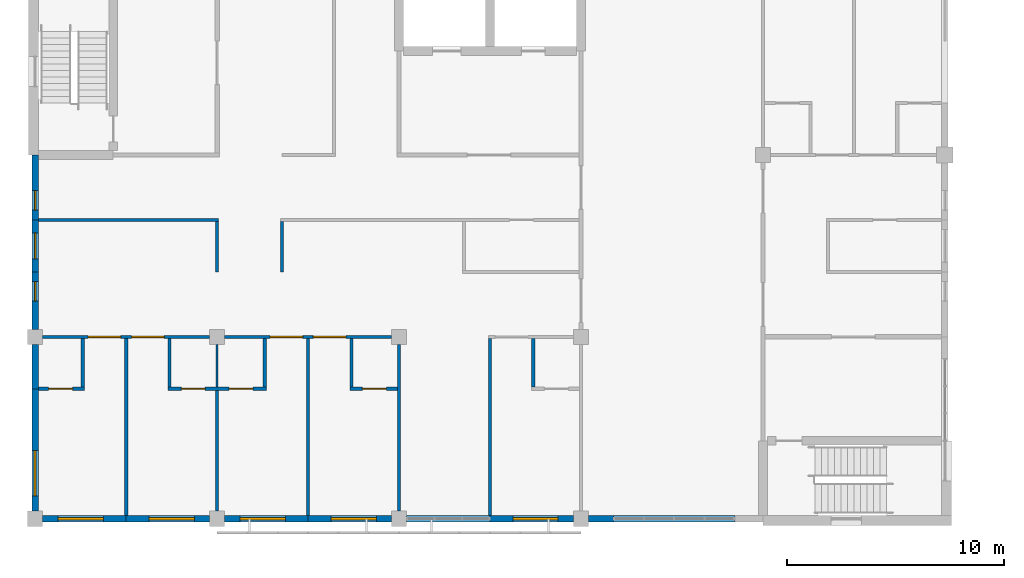
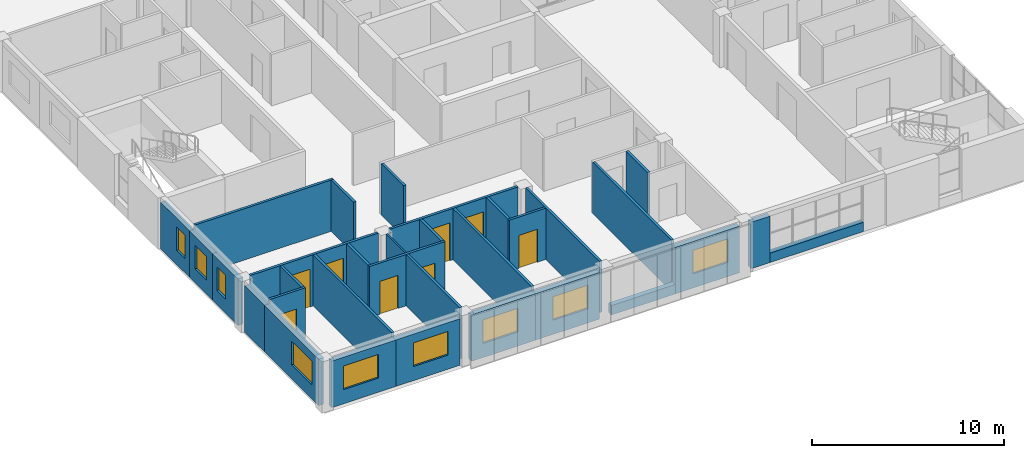
# One storey, part 23 of 45: 32 walls, 9 windows, 8 doors, 17 openings.
"""IFC4 building model written with IfcOpenShell, lengths in metres."""

import ifcopenshell
import ifcopenshell.guid

model = None  # the IFC model being written
_history = None  # IfcOwnerHistory: only IFC2X3 demands one
_inside = {}  # id of a spatial element -> (the spatial element, [elements in it])
_under = {}  # id of a project, library or spatial element -> (it, [spatial elements below it])
_declared = {}  # id of a project -> (the project, [libraries it declares])
_typed = {}  # id of a type object -> (the type object, [elements of that type])
_made_of = {}  # id of a material, layer set ... -> (it, [elements and type objects made of it])


def new_model(schema):
    """Start an empty IFC model of exactly this schema.

    Asked for "IFC4X3", IfcOpenShell would pick the latest addendum, in which some entities
    have other attributes; the version numbers below select the first issue.
    IFC2X3 requires an IfcOwnerHistory on every rooted entity: one is made here for all.
    """
    global model, _history
    if schema == "IFC4X3":
        model = ifcopenshell.file(schema_version=(4, 3, 0, 0))
    else:
        model = ifcopenshell.file(schema=schema)
    _inside.clear()
    _under.clear()
    _declared.clear()
    _typed.clear()
    _made_of.clear()
    _history = None
    if model.schema == "IFC2X3":
        org = make("IfcOrganization", Name="unknown")
        user = make(
            "IfcPersonAndOrganization",
            ThePerson=make("IfcPerson", FamilyName="unknown"),
            TheOrganization=org,
        )
        app = make(
            "IfcApplication",
            ApplicationDeveloper=org,
            Version="unknown",
            ApplicationFullName="unknown",
            ApplicationIdentifier="unknown",
        )
        _history = make(
            "IfcOwnerHistory",
            OwningUser=user,
            OwningApplication=app,
            ChangeAction="ADDED",
            CreationDate=0,
        )
    return model


def make(cls, **values):
    """One entity of the class cls with the attributes given. An attribute that is None is left unset."""
    return model.create_entity(
        cls, **{name: value for name, value in values.items() if value is not None}
    )


def rooted(cls, **values):
    """An entity with a GlobalId (a new one), such as an element, a storey or a relation."""
    return make(cls, GlobalId=ifcopenshell.guid.new(), OwnerHistory=_history, **values)


def si_unit(unit_type, name, prefix=None):
    """IfcSIUnit, for example si_unit("LENGTHUNIT", "METRE", prefix="MILLI")."""
    return make("IfcSIUnit", UnitType=unit_type, Prefix=prefix, Name=name)


def assignment(units):
    """IfcUnitAssignment: the units of a project."""
    return None if units is None else make("IfcUnitAssignment", Units=units)


def point(xyz):
    """IfcCartesianPoint."""
    return None if xyz is None else make("IfcCartesianPoint", Coordinates=xyz)


def direction(xyz):
    """IfcDirection."""
    return None if xyz is None else make("IfcDirection", DirectionRatios=xyz)


def frame(location, z_axis=None, x_axis=None):
    """IfcAxis2Placement3D, a coordinate frame: its origin and axes. An axis left out is left unset."""
    return make(
        "IfcAxis2Placement3D",
        Location=point(location),
        Axis=direction(z_axis),
        RefDirection=direction(x_axis),
    )


def frame_2d(location, x_axis=None):
    """IfcAxis2Placement2D, a coordinate frame in the plane: its origin and x axis."""
    return make(
        "IfcAxis2Placement2D", Location=point(location), RefDirection=direction(x_axis)
    )


def origin():
    """The frame at (0, 0, 0) with its axes left unset."""
    return frame((0.0, 0.0, 0.0))


def place(relative_to, where):
    """IfcLocalPlacement: puts the frame where relative to a parent placement (None: the world)."""
    return make(
        "IfcLocalPlacement", PlacementRelTo=relative_to, RelativePlacement=where
    )


def context(
    kind, dimensions, precision=None, world=None, true_north=None, identifier=None
):
    """IfcGeometricRepresentationContext, for example the 3D "Model" context."""
    return make(
        "IfcGeometricRepresentationContext",
        ContextIdentifier=identifier,
        ContextType=kind,
        CoordinateSpaceDimension=dimensions,
        Precision=precision,
        WorldCoordinateSystem=world,
        TrueNorth=true_north,
    )


def subcontext(parent, identifier, kind, view, scale=None):
    """IfcGeometricRepresentationSubContext, for example "Body" below "Model"."""
    return make(
        "IfcGeometricRepresentationSubContext",
        ContextIdentifier=identifier,
        ContextType=kind,
        ParentContext=parent,
        TargetScale=scale,
        TargetView=view,
    )


def project(units=None, contexts=None):
    """IfcProject with its units and contexts."""
    return rooted(
        "IfcProject",
        Name="project",
        RepresentationContexts=contexts,
        UnitsInContext=assignment(units),
    )


def spatial(cls, under=None, at=None, **own):
    """A site, building, storey or space (cls), placed at a placement, below another one or the project."""
    s = rooted(cls, ObjectPlacement=at, **own)
    if under is not None:
        _under.setdefault(under.id(), (under, []))[1].append(s)
    return s


def profile(cls, at=None, kind="AREA", **sizes):
    """A parametric profile (cls). Its sizes go by their IFC names, for example OverallWidth=200.0."""
    return make(cls, ProfileType=kind, Position=at, **sizes)


def rectangle(**sizes):
    """IfcRectangleProfileDef."""
    return profile("IfcRectangleProfileDef", **sizes)


def extrude(swept, where, along, depth):
    """IfcExtrudedAreaSolid: the profile swept, set in the frame where, extruded along a direction by depth."""
    return make(
        "IfcExtrudedAreaSolid",
        SweptArea=swept,
        Position=where,
        ExtrudedDirection=direction(along),
        Depth=depth,
    )


def shape(context_of_items, identifier, shape_type, items):
    """IfcShapeRepresentation: the items that make up one representation, for example the "Body"."""
    return make(
        "IfcShapeRepresentation",
        ContextOfItems=context_of_items,
        RepresentationIdentifier=identifier,
        RepresentationType=shape_type,
        Items=items,
    )


def material(Name=None, Category=None):
    """IfcMaterial."""
    return make("IfcMaterial", Name=Name, Category=Category)


def layer(
    of_material, thickness, ventilated=None, Name=None, Category=None, Priority=None
):
    """IfcMaterialLayer: one layer of a wall or slab, of a material (None: an air gap)."""
    return make(
        "IfcMaterialLayer",
        Material=of_material,
        LayerThickness=thickness,
        IsVentilated=ventilated,
        Name=Name,
        Category=Category,
        Priority=Priority,
    )


def layer_set(layers, Name=None):
    """IfcMaterialLayerSet."""
    return make("IfcMaterialLayerSet", MaterialLayers=layers, LayerSetName=Name)


def made_of(thing, what):
    """Note that an element or type object is made of a material, layer set ...; save() writes the relation."""
    if what is not None:
        _made_of.setdefault(what.id(), (what, []))[1].append(thing)
    return thing


def type_object(cls, material=None, **own):
    """A type object (cls), such as IfcWallType, which elements share."""
    return made_of(rooted(cls, **own), material)


def element(
    cls,
    number,
    at=None,
    inside=None,
    cuts=None,
    type_object=None,
    material=None,
    context=None,
    identifier="Body",
    shape_type=None,
    held_by="IfcProductDefinitionShape",
    body=None,
    shapes=None,
    **own,
):
    """One element of the class cls, such as IfcWall. Its Tag is "e" and its number.

    at: its placement. inside: the storey or other place that contains it. cuts: it is an
    opening in that element (IfcRelVoidsElement). A single representation is given by context,
    identifier, shape_type and body (its items); several are given by shapes. held_by: the class
    of the entity that holds the representations. save() writes the other relations.
    """
    e = rooted(cls, Tag="e%d" % number, ObjectPlacement=at, **own)
    if body is not None:
        shapes = [shape(context, identifier, shape_type, body)]
    if shapes is not None:
        e.Representation = make(held_by, Representations=shapes)
    if inside is not None:
        _inside.setdefault(inside.id(), (inside, []))[1].append(e)
    if cuts is not None:
        rooted(
            "IfcRelVoidsElement", RelatingBuildingElement=cuts, RelatedOpeningElement=e
        )
    if type_object is not None:
        _typed.setdefault(type_object.id(), (type_object, []))[1].append(e)
    return made_of(e, material)


def fill(opening, filler):
    """IfcRelFillsElement: the door or window that sits in an opening."""
    return rooted(
        "IfcRelFillsElement",
        RelatingOpeningElement=opening,
        RelatedBuildingElement=filler,
    )


def aggregate(whole, parts):
    """IfcRelAggregates: a whole, such as a stair, and the parts it consists of."""
    return rooted("IfcRelAggregates", RelatingObject=whole, RelatedObjects=parts)


def save(model, path):
    """Write the relations noted so far, then the file.

    IfcRelAggregates (storeys below a building ...), IfcRelContainedInSpatialStructure (elements
    in a storey), IfcRelDefinesByType, IfcRelAssociatesMaterial and IfcRelDeclares: one each for
    every whole, place, type object, material and project.
    """
    for whole, parts in _under.values():
        aggregate(whole, parts)
    for where, things in _inside.values():
        rooted(
            "IfcRelContainedInSpatialStructure",
            RelatedElements=things,
            RelatingStructure=where,
        )
    for kind, things in _typed.values():
        rooted("IfcRelDefinesByType", RelatedObjects=things, RelatingType=kind)
    for what, things in _made_of.values():
        rooted("IfcRelAssociatesMaterial", RelatedObjects=things, RelatingMaterial=what)
    for by, libraries in _declared.values():
        rooted("IfcRelDeclares", RelatingContext=by, RelatedDefinitions=libraries)
    model.write(path)


model = new_model("IFC4")

# Units and contexts
model_context = context("Model", 3, precision=1e-05, world=origin(), true_north=direction((0.0, 1.0)))
body_context = subcontext(model_context, "Body", "Model", "MODEL_VIEW")
ifc_project = project(units=[si_unit("LENGTHUNIT", "METRE"), si_unit("AREAUNIT", "SQUARE_METRE"), si_unit("VOLUMEUNIT", "CUBIC_METRE"), si_unit("PLANEANGLEUNIT", "RADIAN"), si_unit("MASSUNIT", "GRAM", prefix="KILO")], contexts=[model_context])

# Site, building, storey
site_placement = place(None, origin())
site = spatial("IfcSite", under=ifc_project, at=site_placement, CompositionType="ELEMENT")
building_placement = place(site_placement, origin())
building = spatial("IfcBuilding", under=site, at=building_placement, Name="Yavir Park General Hospital", CompositionType="ELEMENT")
storey_placement = place(building_placement, frame((0.0, 0.0, 22.5)))
storey = spatial("IfcBuildingStorey", under=building, at=storey_placement, Name="L05", CompositionType="ELEMENT", Elevation=22.5)

# Wall
ifc_material_1 = material(Name="Gypsum board partition on steel studs", Category="steel")
ifc_layer_1 = layer(ifc_material_1, 0.10009765625)
ifc_layer_set_1 = layer_set([ifc_layer_1], Name="Gypsum board partition on steel studs")
wall_type_1 = type_object("IfcWallType", Name="Gypsum board partition 100", PredefinedType="PARTITIONING", material=ifc_layer_set_1)
wall_1_placement = place(storey_placement, frame((8.39990234375, 6.074951171875, 0.0), z_axis=(0.0, 0.0, 1.0), x_axis=(0.0, 1.0, 0.0)))
element("IfcWall", 1, at=wall_1_placement, inside=storey, type_object=wall_type_1, Name="P10 L05-160", PredefinedType="PARTITIONING", context=body_context, shape_type="SweptSolid", body=[
    extrude(rectangle(XDim=1.97509765625, YDim=0.10009765625, at=frame_2d((0.987548828125, 0.0))), origin(), (0.0, 0.0, 1.0), 3.260009765625),
])

# Wall, opening, door
ifc_material_2 = material(Name="Gypsum board partition on steel studs", Category="steel")
ifc_layer_2 = layer(ifc_material_2, 0.14990234375)
ifc_layer_set_2 = layer_set([ifc_layer_2], Name="Gypsum board partition on steel studs")
wall_type_2 = type_object("IfcWallType", Name="Gypsum board partition 150", PredefinedType="PARTITIONING", material=ifc_layer_set_2)
wall_2_placement = place(storey_placement, frame((0.14990234375, 6.0, 0.0), z_axis=(0.0, 0.0, 1.0), x_axis=(1.0, 0.0, 0.0)))
wall_2 = element("IfcWall", 2, at=wall_2_placement, inside=storey, type_object=wall_type_2, Name="P15 L05-004", PredefinedType="PARTITIONING", context=body_context, shape_type="SweptSolid", body=[
    extrude(rectangle(XDim=2.125, YDim=0.14990234375, at=frame_2d((1.0625, 0.0))), origin(), (0.0, 0.0, 1.0), 3.260009765625),
])
opening_1_placement = place(wall_2_placement, frame((0.47509765625, 0.0, 0.0)))
opening_1 = element("IfcOpeningElement", 3, at=opening_1_placement, cuts=wall_2, Name="Opening L05.D004", PredefinedType="OPENING", context=body_context, shape_type="SweptSolid", body=[
    extrude(rectangle(XDim=1.10009765625, YDim=2.10009765625, at=frame_2d((0.550048828125, 1.050048828125))), frame((0.0, 0.0849609375, 0.0), z_axis=(0.0, -1.0, 0.0), x_axis=(1.0, 0.0, 0.0)), (0.0, 0.0, 1.0), 0.169921875),
])
ifc_material_3 = material(Name="Hollow metal frame, solid-core timber leaf", Category="wood")
door_type_1 = type_object("IfcDoorType", Name="Single swing door 1100 x 2100", OperationType="SINGLE_SWING_LEFT", PredefinedType="DOOR", material=ifc_material_3)
door_1_placement = place(opening_1_placement, origin())
door_1 = element("IfcDoor", 4, at=door_1_placement, inside=storey, type_object=door_type_1, Name="L05.D004", OperationType="SINGLE_SWING_LEFT", OverallHeight=2.10009765625, OverallWidth=1.10009765625, PredefinedType="DOOR", context=body_context, shape_type="SweptSolid", body=[
    extrude(rectangle(XDim=1.10009765625, YDim=2.10009765625, at=frame_2d((0.550048828125, 1.050048828125))), frame((0.0, 0.02490234375, 0.0), z_axis=(0.0, -1.0, 0.0), x_axis=(1.0, 0.0, 0.0)), (0.0, 0.0, 1.0), 0.050048828125),
])
fill(opening_1, door_1)

# Wall, openings, doors
wall_3_placement = place(storey_placement, frame((6.125, 6.0, 0.0), z_axis=(0.0, 0.0, 1.0), x_axis=(1.0, 0.0, 0.0)))
wall_3 = element("IfcWall", 5, at=wall_3_placement, inside=storey, type_object=wall_type_2, Name="P15 L05-005", PredefinedType="PARTITIONING", context=body_context, shape_type="SweptSolid", body=[
    extrude(rectangle(XDim=4.550048828125, YDim=0.14990234375, at=frame_2d((2.27490234375, 0.0))), origin(), (0.0, 0.0, 1.0), 3.260009765625),
])
opening_2_placement = place(wall_3_placement, frame((0.625, 0.0, 0.0)))
opening_2 = element("IfcOpeningElement", 6, at=opening_2_placement, cuts=wall_3, Name="Opening L05.D005", PredefinedType="OPENING", context=body_context, shape_type="SweptSolid", body=[
    extrude(rectangle(XDim=1.10009765625, YDim=2.10009765625, at=frame_2d((0.550048828125, 1.050048828125))), frame((0.0, 0.0849609375, 0.0), z_axis=(0.0, -1.0, 0.0), x_axis=(1.0, 0.0, 0.0)), (0.0, 0.0, 1.0), 0.169921875),
])
opening_3_placement = place(wall_3_placement, frame((2.824951171875, 0.0, 0.0)))
opening_3 = element("IfcOpeningElement", 7, at=opening_3_placement, cuts=wall_3, Name="Opening L05.D006", PredefinedType="OPENING", context=body_context, shape_type="SweptSolid", body=[
    extrude(rectangle(XDim=1.10009765625, YDim=2.10009765625, at=frame_2d((0.550048828125, 1.050048828125))), frame((0.0, 0.0849609375, 0.0), z_axis=(0.0, -1.0, 0.0), x_axis=(1.0, 0.0, 0.0)), (0.0, 0.0, 1.0), 0.169921875),
])
door_2_placement = place(opening_2_placement, origin())
door_2 = element("IfcDoor", 8, at=door_2_placement, inside=storey, type_object=door_type_1, Name="L05.D005", OperationType="SINGLE_SWING_RIGHT", OverallHeight=2.10009765625, OverallWidth=1.10009765625, PredefinedType="DOOR", context=body_context, shape_type="SweptSolid", body=[
    extrude(rectangle(XDim=1.10009765625, YDim=2.10009765625, at=frame_2d((0.550048828125, 1.050048828125))), frame((0.0, 0.02490234375, 0.0), z_axis=(0.0, -1.0, 0.0), x_axis=(1.0, 0.0, 0.0)), (0.0, 0.0, 1.0), 0.050048828125),
])
fill(opening_2, door_2)
door_3_placement = place(opening_3_placement, origin())
door_3 = element("IfcDoor", 9, at=door_3_placement, inside=storey, type_object=door_type_1, Name="L05.D006", OperationType="SINGLE_SWING_LEFT", OverallHeight=2.10009765625, OverallWidth=1.10009765625, PredefinedType="DOOR", context=body_context, shape_type="SweptSolid", body=[
    extrude(rectangle(XDim=1.10009765625, YDim=2.10009765625, at=frame_2d((0.550048828125, 1.050048828125))), frame((0.0, 0.02490234375, 0.0), z_axis=(0.0, -1.0, 0.0), x_axis=(1.0, 0.0, 0.0)), (0.0, 0.0, 1.0), 0.050048828125),
])
fill(opening_3, door_3)

# Wall, opening, door
wall_4_placement = place(storey_placement, frame((14.52490234375, 6.0, 0.0), z_axis=(0.0, 0.0, 1.0), x_axis=(1.0, 0.0, 0.0)))
wall_4 = element("IfcWall", 10, at=wall_4_placement, inside=storey, type_object=wall_type_2, Name="P15 L05-006", PredefinedType="PARTITIONING", context=body_context, shape_type="SweptSolid", body=[
    extrude(rectangle(XDim=2.2001953125, YDim=0.14990234375, at=frame_2d((1.10009765625, 0.0))), origin(), (0.0, 0.0, 1.0), 3.260009765625),
])
opening_4_placement = place(wall_4_placement, frame((0.58740234375, 0.0, 0.0)))
opening_4 = element("IfcOpeningElement", 11, at=opening_4_placement, cuts=wall_4, Name="Opening L05.D007", PredefinedType="OPENING", context=body_context, shape_type="SweptSolid", body=[
    extrude(rectangle(XDim=1.10009765625, YDim=2.10009765625, at=frame_2d((0.550048828125, 1.050048828125))), frame((0.0, 0.0849609375, 0.0), z_axis=(0.0, -1.0, 0.0), x_axis=(1.0, 0.0, 0.0)), (0.0, 0.0, 1.0), 0.169921875),
])
door_4_placement = place(opening_4_placement, origin())
door_4 = element("IfcDoor", 12, at=door_4_placement, inside=storey, type_object=door_type_1, Name="L05.D007", OperationType="SINGLE_SWING_RIGHT", OverallHeight=2.10009765625, OverallWidth=1.10009765625, PredefinedType="DOOR", context=body_context, shape_type="SweptSolid", body=[
    extrude(rectangle(XDim=1.10009765625, YDim=2.10009765625, at=frame_2d((0.550048828125, 1.050048828125))), frame((0.0, 0.02490234375, 0.0), z_axis=(0.0, -1.0, 0.0), x_axis=(1.0, 0.0, 0.0)), (0.0, 0.0, 1.0), 0.050048828125),
])
fill(opening_4, door_4)

# Wall, openings, doors
wall_5_placement = place(storey_placement, frame((0.35009765625, 8.39990234375, 0.0), z_axis=(0.0, 0.0, 1.0), x_axis=(1.0, 0.0, 0.0)))
wall_5 = element("IfcWall", 13, at=wall_5_placement, inside=storey, type_object=wall_type_2, Name="P15 L05-011", PredefinedType="PARTITIONING", context=body_context, shape_type="SweptSolid", body=[
    extrude(rectangle(XDim=7.699951171875, YDim=0.14990234375, at=frame_2d((3.85009765625, 0.0))), origin(), (0.0, 0.0, 1.0), 3.260009765625),
])
opening_5_placement = place(wall_5_placement, frame((2.10009765625, 0.0, 0.0)))
opening_5 = element("IfcOpeningElement", 14, at=opening_5_placement, cuts=wall_5, Name="Opening L05.D013", PredefinedType="OPENING", context=body_context, shape_type="SweptSolid", body=[
    extrude(rectangle(XDim=1.5, YDim=2.39990234375, at=frame_2d((0.75, 1.199951171875))), frame((0.0, 0.0849609375, 0.0), z_axis=(0.0, -1.0, 0.0), x_axis=(1.0, 0.0, 0.0)), (0.0, 0.0, 1.0), 0.169921875),
])
opening_6_placement = place(wall_5_placement, frame((4.10009765625, 0.0, 0.0)))
opening_6 = element("IfcOpeningElement", 15, at=opening_6_placement, cuts=wall_5, Name="Opening L05.D014", PredefinedType="OPENING", context=body_context, shape_type="SweptSolid", body=[
    extrude(rectangle(XDim=1.5, YDim=2.39990234375, at=frame_2d((0.75, 1.199951171875))), frame((0.0, 0.0849609375, 0.0), z_axis=(0.0, -1.0, 0.0), x_axis=(1.0, 0.0, 0.0)), (0.0, 0.0, 1.0), 0.169921875),
])
ifc_material_4 = material(Name="Solid-core timber leaves, push plates, kick plates", Category="wood")
door_type_2 = type_object("IfcDoorType", Name="Bed door, unequal leaves 1500 x 2400", OperationType="DOUBLE_DOOR_SINGLE_SWING", PredefinedType="DOOR", material=ifc_material_4)
door_5_placement = place(opening_5_placement, origin())
door_5 = element("IfcDoor", 16, at=door_5_placement, inside=storey, type_object=door_type_2, Name="L05.D013", OperationType="SINGLE_SWING_LEFT", OverallHeight=2.39990234375, OverallWidth=1.5, PredefinedType="DOOR", context=body_context, shape_type="SweptSolid", body=[
    extrude(rectangle(XDim=1.5, YDim=2.39990234375, at=frame_2d((0.75, 1.199951171875))), frame((0.0, 0.030029296875, 0.0), z_axis=(0.0, -1.0, 0.0), x_axis=(1.0, 0.0, 0.0)), (0.0, 0.0, 1.0), 0.06005859375),
])
fill(opening_5, door_5)
door_6_placement = place(opening_6_placement, origin())
door_6 = element("IfcDoor", 17, at=door_6_placement, inside=storey, type_object=door_type_2, Name="L05.D014", OperationType="SINGLE_SWING_LEFT", OverallHeight=2.39990234375, OverallWidth=1.5, PredefinedType="DOOR", context=body_context, shape_type="SweptSolid", body=[
    extrude(rectangle(XDim=1.5, YDim=2.39990234375, at=frame_2d((0.75, 1.199951171875))), frame((0.0, 0.030029296875, 0.0), z_axis=(0.0, -1.0, 0.0), x_axis=(1.0, 0.0, 0.0)), (0.0, 0.0, 1.0), 0.06005859375),
])
fill(opening_6, door_6)

wall_6_placement = place(storey_placement, frame((8.75, 8.39990234375, 0.0), z_axis=(0.0, 0.0, 1.0), x_axis=(1.0, 0.0, 0.0)))
wall_6 = element("IfcWall", 18, at=wall_6_placement, inside=storey, type_object=wall_type_2, Name="P15 L05-012", PredefinedType="PARTITIONING", context=body_context, shape_type="SweptSolid", body=[
    extrude(rectangle(XDim=7.699951171875, YDim=0.14990234375, at=frame_2d((3.85009765625, 0.0))), origin(), (0.0, 0.0, 1.0), 3.260009765625),
])
opening_7_placement = place(wall_6_placement, frame((2.10009765625, 0.0, 0.0)))
opening_7 = element("IfcOpeningElement", 19, at=opening_7_placement, cuts=wall_6, Name="Opening L05.D015", PredefinedType="OPENING", context=body_context, shape_type="SweptSolid", body=[
    extrude(rectangle(XDim=1.5, YDim=2.39990234375, at=frame_2d((0.75, 1.199951171875))), frame((0.0, 0.0849609375, 0.0), z_axis=(0.0, -1.0, 0.0), x_axis=(1.0, 0.0, 0.0)), (0.0, 0.0, 1.0), 0.169921875),
])
opening_8_placement = place(wall_6_placement, frame((4.10009765625, 0.0, 0.0)))
opening_8 = element("IfcOpeningElement", 20, at=opening_8_placement, cuts=wall_6, Name="Opening L05.D016", PredefinedType="OPENING", context=body_context, shape_type="SweptSolid", body=[
    extrude(rectangle(XDim=1.5, YDim=2.39990234375, at=frame_2d((0.75, 1.199951171875))), frame((0.0, 0.0849609375, 0.0), z_axis=(0.0, -1.0, 0.0), x_axis=(1.0, 0.0, 0.0)), (0.0, 0.0, 1.0), 0.169921875),
])
door_7_placement = place(opening_7_placement, origin())
door_7 = element("IfcDoor", 21, at=door_7_placement, inside=storey, type_object=door_type_2, Name="L05.D015", OperationType="SINGLE_SWING_LEFT", OverallHeight=2.39990234375, OverallWidth=1.5, PredefinedType="DOOR", context=body_context, shape_type="SweptSolid", body=[
    extrude(rectangle(XDim=1.5, YDim=2.39990234375, at=frame_2d((0.75, 1.199951171875))), frame((0.0, 0.030029296875, 0.0), z_axis=(0.0, -1.0, 0.0), x_axis=(1.0, 0.0, 0.0)), (0.0, 0.0, 1.0), 0.06005859375),
])
fill(opening_7, door_7)
door_8_placement = place(opening_8_placement, origin())
door_8 = element("IfcDoor", 22, at=door_8_placement, inside=storey, type_object=door_type_2, Name="L05.D016", OperationType="SINGLE_SWING_LEFT", OverallHeight=2.39990234375, OverallWidth=1.5, PredefinedType="DOOR", context=body_context, shape_type="SweptSolid", body=[
    extrude(rectangle(XDim=1.5, YDim=2.39990234375, at=frame_2d((0.75, 1.199951171875))), frame((0.0, 0.030029296875, 0.0), z_axis=(0.0, -1.0, 0.0), x_axis=(1.0, 0.0, 0.0)), (0.0, 0.0, 1.0), 0.06005859375),
])
fill(opening_8, door_8)

# Walls
wall_7_placement = place(storey_placement, frame((0.14990234375, 13.800048828125, 0.0), z_axis=(0.0, 0.0, 1.0), x_axis=(1.0, 0.0, 0.0)))
element("IfcWall", 23, at=wall_7_placement, inside=storey, type_object=wall_type_2, Name="P15 L05-025", PredefinedType="PARTITIONING", context=body_context, shape_type="SweptSolid", body=[
    extrude(rectangle(XDim=8.3251953125, YDim=0.14990234375, at=frame_2d((4.16259765625, 0.0))), origin(), (0.0, 0.0, 1.0), 3.260009765625),
])
wall_8_placement = place(storey_placement, frame((2.199951171875, 6.074951171875, 0.0), z_axis=(0.0, 0.0, 1.0), x_axis=(0.0, 1.0, 0.0)))
element("IfcWall", 24, at=wall_8_placement, inside=storey, type_object=wall_type_2, Name="P15 L05-140", PredefinedType="PARTITIONING", context=body_context, shape_type="SweptSolid", body=[
    extrude(rectangle(XDim=2.25, YDim=0.14990234375, at=frame_2d((1.125, 0.0))), origin(), (0.0, 0.0, 1.0), 3.260009765625),
])
wall_9_placement = place(storey_placement, frame((4.199951171875, 0.14990234375, 0.0), z_axis=(0.0, 0.0, 1.0), x_axis=(0.0, 1.0, 0.0)))
element("IfcWall", 25, at=wall_9_placement, inside=storey, type_object=wall_type_2, Name="P15 L05-143", PredefinedType="PARTITIONING", context=body_context, shape_type="SweptSolid", body=[
    extrude(rectangle(XDim=8.175048828125, YDim=0.14990234375, at=frame_2d((4.08740234375, 0.0))), origin(), (0.0, 0.0, 1.0), 3.260009765625),
])
wall_10_placement = place(storey_placement, frame((6.199951171875, 6.074951171875, 0.0), z_axis=(0.0, 0.0, 1.0), x_axis=(0.0, 1.0, 0.0)))
element("IfcWall", 26, at=wall_10_placement, inside=storey, type_object=wall_type_2, Name="P15 L05-158", PredefinedType="PARTITIONING", context=body_context, shape_type="SweptSolid", body=[
    extrude(rectangle(XDim=2.25, YDim=0.14990234375, at=frame_2d((1.125, 0.0))), origin(), (0.0, 0.0, 1.0), 3.260009765625),
])
wall_11_placement = place(storey_placement, frame((8.39990234375, 0.35009765625, 0.0), z_axis=(0.0, 0.0, 1.0), x_axis=(0.0, 1.0, 0.0)))
element("IfcWall", 27, at=wall_11_placement, inside=storey, type_object=wall_type_2, Name="P15 L05-159", PredefinedType="PARTITIONING", context=body_context, shape_type="SweptSolid", body=[
    extrude(rectangle(XDim=5.574951171875, YDim=0.14990234375, at=frame_2d((2.78759765625, 0.0))), origin(), (0.0, 0.0, 1.0), 3.260009765625),
])
wall_12_placement = place(storey_placement, frame((8.39990234375, 11.39990234375, 0.0), z_axis=(0.0, 0.0, 1.0), x_axis=(0.0, 1.0, 0.0)))
element("IfcWall", 28, at=wall_12_placement, inside=storey, type_object=wall_type_2, Name="P15 L05-161", PredefinedType="PARTITIONING", context=body_context, shape_type="SweptSolid", body=[
    extrude(rectangle(XDim=2.3251953125, YDim=0.14990234375, at=frame_2d((1.16259765625, 0.0))), origin(), (0.0, 0.0, 1.0), 3.260009765625),
])
wall_13_placement = place(storey_placement, frame((10.60009765625, 6.074951171875, 0.0), z_axis=(0.0, 0.0, 1.0), x_axis=(0.0, 1.0, 0.0)))
element("IfcWall", 29, at=wall_13_placement, inside=storey, type_object=wall_type_2, Name="P15 L05-172", PredefinedType="PARTITIONING", context=body_context, shape_type="SweptSolid", body=[
    extrude(rectangle(XDim=2.25, YDim=0.14990234375, at=frame_2d((1.125, 0.0))), origin(), (0.0, 0.0, 1.0), 3.260009765625),
])
wall_14_placement = place(storey_placement, frame((11.39990234375, 11.39990234375, 0.0), z_axis=(0.0, 0.0, 1.0), x_axis=(0.0, 1.0, 0.0)))
element("IfcWall", 30, at=wall_14_placement, inside=storey, type_object=wall_type_2, Name="P15 L05-173", PredefinedType="PARTITIONING", context=body_context, shape_type="SweptSolid", body=[
    extrude(rectangle(XDim=2.3251953125, YDim=0.14990234375, at=frame_2d((1.16259765625, 0.0))), origin(), (0.0, 0.0, 1.0), 3.260009765625),
])
wall_15_placement = place(storey_placement, frame((12.60009765625, 0.14990234375, 0.0), z_axis=(0.0, 0.0, 1.0), x_axis=(0.0, 1.0, 0.0)))
element("IfcWall", 31, at=wall_15_placement, inside=storey, type_object=wall_type_2, Name="P15 L05-178", PredefinedType="PARTITIONING", context=body_context, shape_type="SweptSolid", body=[
    extrude(rectangle(XDim=8.175048828125, YDim=0.14990234375, at=frame_2d((4.08740234375, 0.0))), origin(), (0.0, 0.0, 1.0), 3.260009765625),
])
wall_16_placement = place(storey_placement, frame((14.60009765625, 6.074951171875, 0.0), z_axis=(0.0, 0.0, 1.0), x_axis=(0.0, 1.0, 0.0)))
element("IfcWall", 32, at=wall_16_placement, inside=storey, type_object=wall_type_2, Name="P15 L05-183", PredefinedType="PARTITIONING", context=body_context, shape_type="SweptSolid", body=[
    extrude(rectangle(XDim=2.25, YDim=0.14990234375, at=frame_2d((1.125, 0.0))), origin(), (0.0, 0.0, 1.0), 3.260009765625),
])
wall_17_placement = place(storey_placement, frame((16.800048828125, 0.35009765625, 0.0), z_axis=(0.0, 0.0, 1.0), x_axis=(0.0, 1.0, 0.0)))
element("IfcWall", 33, at=wall_17_placement, inside=storey, type_object=wall_type_2, Name="P15 L05-184", PredefinedType="PARTITIONING", context=body_context, shape_type="SweptSolid", body=[
    extrude(rectangle(XDim=7.699951171875, YDim=0.14990234375, at=frame_2d((3.85009765625, 0.0))), origin(), (0.0, 0.0, 1.0), 3.260009765625),
])
wall_18_placement = place(storey_placement, frame((21.0, 0.14990234375, 0.0), z_axis=(0.0, 0.0, 1.0), x_axis=(0.0, 1.0, 0.0)))
element("IfcWall", 34, at=wall_18_placement, inside=storey, type_object=wall_type_2, Name="P15 L05-207", PredefinedType="PARTITIONING", context=body_context, shape_type="SweptSolid", body=[
    extrude(rectangle(XDim=8.175048828125, YDim=0.14990234375, at=frame_2d((4.08740234375, 0.0))), origin(), (0.0, 0.0, 1.0), 3.260009765625),
])
wall_19_placement = place(storey_placement, frame((23.0, 6.074951171875, 0.0), z_axis=(0.0, 0.0, 1.0), x_axis=(0.0, 1.0, 0.0)))
element("IfcWall", 35, at=wall_19_placement, inside=storey, type_object=wall_type_2, Name="P15 L05-212", PredefinedType="PARTITIONING", context=body_context, shape_type="SweptSolid", body=[
    extrude(rectangle(XDim=2.25, YDim=0.14990234375, at=frame_2d((1.125, 0.0))), origin(), (0.0, 0.0, 1.0), 3.260009765625),
])

# Wall, opening, window
ifc_material_5 = material(Name="Autoclaved aerated block, mineral wool and ochre mineral render")
ifc_layer_3 = layer(ifc_material_5, 0.300048828125)
ifc_layer_set_3 = layer_set([ifc_layer_3], Name="Autoclaved aerated block, mineral wool and ochre mineral render")
wall_type_3 = type_object("IfcWallType", Name="Ochre render ward wall 300, E 30", PredefinedType="SOLIDWALL", material=ifc_layer_set_3)
wall_20_placement = place(storey_placement, frame((0.35009765625, 0.0, 0.0), z_axis=(0.0, 0.0, 1.0), x_axis=(1.0, 0.0, 0.0)))
wall_20 = element("IfcWall", 36, at=wall_20_placement, inside=storey, type_object=wall_type_3, Name="XW7 L05-001", PredefinedType="SOLIDWALL", context=body_context, shape_type="SweptSolid", body=[
    extrude(rectangle(XDim=3.849853515625, YDim=0.300048828125, at=frame_2d((1.9248046875, 0.0))), origin(), (0.0, 0.0, 1.0), 2.9599609375),
])
opening_9_placement = place(wall_20_placement, frame((0.699951171875, 0.0, 0.89990234375)))
opening_9 = element("IfcOpeningElement", 37, at=opening_9_placement, cuts=wall_20, Name="Opening WAR", PredefinedType="OPENING", context=body_context, shape_type="SweptSolid", body=[
    extrude(rectangle(XDim=2.10009765625, YDim=1.5, at=frame_2d((1.050048828125, 0.75))), frame((0.0, 0.159912109375, 0.0), z_axis=(0.0, -1.0, 0.0), x_axis=(1.0, 0.0, 0.0)), (0.0, 0.0, 1.0), 0.320068359375),
])
ifc_material_6 = material(Name="Aluminium frame, tilt-and-turn sash with opening restrictor, double glazed unit", Category="aluminium")
window_type_1 = type_object("IfcWindowType", Name="Ward window, restricted opening 2100 x 1500", PartitioningType="DOUBLE_PANEL_VERTICAL", PredefinedType="WINDOW", material=ifc_material_6)
window_1_placement = place(opening_9_placement, origin())
window_1 = element("IfcWindow", 38, at=window_1_placement, inside=storey, type_object=window_type_1, Name="WAR L05-001", OverallHeight=1.5, OverallWidth=2.10009765625, PartitioningType="DOUBLE_PANEL_VERTICAL", PredefinedType="WINDOW", context=body_context, shape_type="SweptSolid", body=[
    extrude(rectangle(XDim=2.10009765625, YDim=1.5, at=frame_2d((1.050048828125, 0.75))), frame((0.0, 0.050048828125, 0.0), z_axis=(0.0, -1.0, 0.0), x_axis=(1.0, 0.0, 0.0)), (0.0, 0.0, 1.0), 0.10009765625),
])
fill(opening_9, window_1)

wall_21_placement = place(storey_placement, frame((4.199951171875, 0.0, 0.0), z_axis=(0.0, 0.0, 1.0), x_axis=(1.0, 0.0, 0.0)))
wall_21 = element("IfcWall", 39, at=wall_21_placement, inside=storey, type_object=wall_type_3, Name="XW7 L05-002", PredefinedType="SOLIDWALL", context=body_context, shape_type="SweptSolid", body=[
    extrude(rectangle(XDim=3.85009765625, YDim=0.300048828125, at=frame_2d((1.925048828125, 0.0))), origin(), (0.0, 0.0, 1.0), 2.9599609375),
])
opening_10_placement = place(wall_21_placement, frame((1.050048828125, 0.0, 0.89990234375)))
opening_10 = element("IfcOpeningElement", 40, at=opening_10_placement, cuts=wall_21, Name="Opening WAR", PredefinedType="OPENING", context=body_context, shape_type="SweptSolid", body=[
    extrude(rectangle(XDim=2.10009765625, YDim=1.5, at=frame_2d((1.050048828125, 0.75))), frame((0.0, 0.159912109375, 0.0), z_axis=(0.0, -1.0, 0.0), x_axis=(1.0, 0.0, 0.0)), (0.0, 0.0, 1.0), 0.320068359375),
])
window_2_placement = place(opening_10_placement, origin())
window_2 = element("IfcWindow", 41, at=window_2_placement, inside=storey, type_object=window_type_1, Name="WAR L05-002", OverallHeight=1.5, OverallWidth=2.10009765625, PartitioningType="DOUBLE_PANEL_VERTICAL", PredefinedType="WINDOW", context=body_context, shape_type="SweptSolid", body=[
    extrude(rectangle(XDim=2.10009765625, YDim=1.5, at=frame_2d((1.050048828125, 0.75))), frame((0.0, 0.050048828125, 0.0), z_axis=(0.0, -1.0, 0.0), x_axis=(1.0, 0.0, 0.0)), (0.0, 0.0, 1.0), 0.10009765625),
])
fill(opening_10, window_2)

wall_22_placement = place(storey_placement, frame((8.75, 0.0, 0.0), z_axis=(0.0, 0.0, 1.0), x_axis=(1.0, 0.0, 0.0)))
wall_22 = element("IfcWall", 42, at=wall_22_placement, inside=storey, type_object=wall_type_3, Name="XW7 L05-003", PredefinedType="SOLIDWALL", context=body_context, shape_type="SweptSolid", body=[
    extrude(rectangle(XDim=3.85009765625, YDim=0.300048828125, at=frame_2d((1.925048828125, 0.0))), origin(), (0.0, 0.0, 1.0), 2.9599609375),
])
opening_11_placement = place(wall_22_placement, frame((0.699951171875, 0.0, 0.89990234375)))
opening_11 = element("IfcOpeningElement", 43, at=opening_11_placement, cuts=wall_22, Name="Opening WAR", PredefinedType="OPENING", context=body_context, shape_type="SweptSolid", body=[
    extrude(rectangle(XDim=2.10009765625, YDim=1.5, at=frame_2d((1.050048828125, 0.75))), frame((0.0, 0.159912109375, 0.0), z_axis=(0.0, -1.0, 0.0), x_axis=(1.0, 0.0, 0.0)), (0.0, 0.0, 1.0), 0.320068359375),
])
window_3_placement = place(opening_11_placement, origin())
window_3 = element("IfcWindow", 44, at=window_3_placement, inside=storey, type_object=window_type_1, Name="WAR L05-003", OverallHeight=1.5, OverallWidth=2.10009765625, PartitioningType="DOUBLE_PANEL_VERTICAL", PredefinedType="WINDOW", context=body_context, shape_type="SweptSolid", body=[
    extrude(rectangle(XDim=2.10009765625, YDim=1.5, at=frame_2d((1.050048828125, 0.75))), frame((0.0, 0.050048828125, 0.0), z_axis=(0.0, -1.0, 0.0), x_axis=(1.0, 0.0, 0.0)), (0.0, 0.0, 1.0), 0.10009765625),
])
fill(opening_11, window_3)

wall_23_placement = place(storey_placement, frame((12.60009765625, 0.0, 0.0), z_axis=(0.0, 0.0, 1.0), x_axis=(1.0, 0.0, 0.0)))
wall_23 = element("IfcWall", 45, at=wall_23_placement, inside=storey, type_object=wall_type_3, Name="XW7 L05-004", PredefinedType="SOLIDWALL", context=body_context, shape_type="SweptSolid", body=[
    extrude(rectangle(XDim=3.849853515625, YDim=0.300048828125, at=frame_2d((1.9248046875, 0.0))), origin(), (0.0, 0.0, 1.0), 2.9599609375),
])
opening_12_placement = place(wall_23_placement, frame((1.050048828125, 0.0, 0.89990234375)))
opening_12 = element("IfcOpeningElement", 46, at=opening_12_placement, cuts=wall_23, Name="Opening WAR", PredefinedType="OPENING", context=body_context, shape_type="SweptSolid", body=[
    extrude(rectangle(XDim=2.10009765625, YDim=1.5, at=frame_2d((1.050048828125, 0.75))), frame((0.0, 0.159912109375, 0.0), z_axis=(0.0, -1.0, 0.0), x_axis=(1.0, 0.0, 0.0)), (0.0, 0.0, 1.0), 0.320068359375),
])
window_4_placement = place(opening_12_placement, origin())
window_4 = element("IfcWindow", 47, at=window_4_placement, inside=storey, type_object=window_type_1, Name="WAR L05-004", OverallHeight=1.5, OverallWidth=2.10009765625, PartitioningType="DOUBLE_PANEL_VERTICAL", PredefinedType="WINDOW", context=body_context, shape_type="SweptSolid", body=[
    extrude(rectangle(XDim=2.10009765625, YDim=1.5, at=frame_2d((1.050048828125, 0.75))), frame((0.0, 0.050048828125, 0.0), z_axis=(0.0, -1.0, 0.0), x_axis=(1.0, 0.0, 0.0)), (0.0, 0.0, 1.0), 0.10009765625),
])
fill(opening_12, window_4)

# Wall
wall_24_placement = place(storey_placement, frame((17.14990234375, 0.0, 0.0), z_axis=(0.0, 0.0, 1.0), x_axis=(1.0, 0.0, 0.0)))
element("IfcWall", 48, at=wall_24_placement, inside=storey, type_object=wall_type_3, Name="XW7 L05-005", PredefinedType="SOLIDWALL", context=body_context, shape_type="SweptSolid", body=[
    extrude(rectangle(XDim=3.85009765625, YDim=0.300048828125, at=frame_2d((1.925048828125, 0.0))), origin(), (0.0, 0.0, 1.0), 0.60009765625),
])

# Wall, opening, window
wall_25_placement = place(storey_placement, frame((21.0, 0.0, 0.0), z_axis=(0.0, 0.0, 1.0), x_axis=(1.0, 0.0, 0.0)))
wall_25 = element("IfcWall", 49, at=wall_25_placement, inside=storey, type_object=wall_type_3, Name="XW7 L05-006", PredefinedType="SOLIDWALL", context=body_context, shape_type="SweptSolid", body=[
    extrude(rectangle(XDim=3.85009765625, YDim=0.300048828125, at=frame_2d((1.925048828125, 0.0))), origin(), (0.0, 0.0, 1.0), 2.9599609375),
])
opening_13_placement = place(wall_25_placement, frame((1.050048828125, 0.0, 0.89990234375)))
opening_13 = element("IfcOpeningElement", 50, at=opening_13_placement, cuts=wall_25, Name="Opening WAR", PredefinedType="OPENING", context=body_context, shape_type="SweptSolid", body=[
    extrude(rectangle(XDim=2.10009765625, YDim=1.5, at=frame_2d((1.050048828125, 0.75))), frame((0.0, 0.159912109375, 0.0), z_axis=(0.0, -1.0, 0.0), x_axis=(1.0, 0.0, 0.0)), (0.0, 0.0, 1.0), 0.320068359375),
])
window_5_placement = place(opening_13_placement, origin())
window_5 = element("IfcWindow", 51, at=window_5_placement, inside=storey, type_object=window_type_1, Name="WAR L05-005", OverallHeight=1.5, OverallWidth=2.10009765625, PartitioningType="DOUBLE_PANEL_VERTICAL", PredefinedType="WINDOW", context=body_context, shape_type="SweptSolid", body=[
    extrude(rectangle(XDim=2.10009765625, YDim=1.5, at=frame_2d((1.050048828125, 0.75))), frame((0.0, 0.050048828125, 0.0), z_axis=(0.0, -1.0, 0.0), x_axis=(1.0, 0.0, 0.0)), (0.0, 0.0, 1.0), 0.10009765625),
])
fill(opening_13, window_5)

# Walls
wall_26_placement = place(storey_placement, frame((25.550048828125, 0.0, 0.0), z_axis=(0.0, 0.0, 1.0), x_axis=(1.0, 0.0, 0.0)))
element("IfcWall", 52, at=wall_26_placement, inside=storey, type_object=wall_type_3, Name="XW7 L05-007", PredefinedType="SOLIDWALL", context=body_context, shape_type="SweptSolid", body=[
    extrude(rectangle(XDim=1.14990234375, YDim=0.300048828125, at=frame_2d((0.574951171875, 0.0))), origin(), (0.0, 0.0, 1.0), 2.9599609375),
])
wall_27_placement = place(storey_placement, frame((26.699951171875, 0.0, 0.0), z_axis=(0.0, 0.0, 1.0), x_axis=(1.0, 0.0, 0.0)))
element("IfcWall", 53, at=wall_27_placement, inside=storey, type_object=wall_type_3, Name="XW7 L05-009", PredefinedType="SOLIDWALL", context=body_context, shape_type="SweptSolid", body=[
    extrude(rectangle(XDim=5.60009765625, YDim=0.300048828125, at=frame_2d((2.800048828125, 0.0))), origin(), (0.0, 0.0, 1.0), 0.60009765625),
])

# Wall, opening, window
wall_28_placement = place(storey_placement, frame((0.0, 0.35009765625, 0.0), z_axis=(0.0, 0.0, 1.0), x_axis=(0.0, 1.0, 0.0)))
wall_28 = element("IfcWall", 54, at=wall_28_placement, inside=storey, type_object=wall_type_3, Name="XW7 L05-068", PredefinedType="SOLIDWALL", context=body_context, shape_type="SweptSolid", body=[
    extrude(rectangle(XDim=5.64990234375, YDim=0.300048828125, at=frame_2d((2.824951171875, 0.0))), origin(), (0.0, 0.0, 1.0), 2.9599609375),
])
opening_14_placement = place(wall_28_placement, frame((0.699951171875, 0.0, 0.89990234375)))
opening_14 = element("IfcOpeningElement", 55, at=opening_14_placement, cuts=wall_28, Name="Opening WAR", PredefinedType="OPENING", context=body_context, shape_type="SweptSolid", body=[
    extrude(rectangle(XDim=2.10009765625, YDim=1.5, at=frame_2d((1.050048828125, 0.75))), frame((0.0, 0.159912109375, 0.0), z_axis=(0.0, -1.0, 0.0), x_axis=(1.0, 0.0, 0.0)), (0.0, 0.0, 1.0), 0.320068359375),
])
window_6_placement = place(opening_14_placement, origin())
window_6 = element("IfcWindow", 56, at=window_6_placement, inside=storey, type_object=window_type_1, Name="WAR L05-024", OverallHeight=1.5, OverallWidth=2.10009765625, PartitioningType="DOUBLE_PANEL_VERTICAL", PredefinedType="WINDOW", context=body_context, shape_type="SweptSolid", body=[
    extrude(rectangle(XDim=2.10009765625, YDim=1.5, at=frame_2d((1.050048828125, 0.75))), frame((0.0, 0.050048828125, 0.0), z_axis=(0.0, -1.0, 0.0), x_axis=(1.0, 0.0, 0.0)), (0.0, 0.0, 1.0), 0.10009765625),
])
fill(opening_14, window_6)

# Wall
wall_29_placement = place(storey_placement, frame((0.0, 6.0, 0.0), z_axis=(0.0, 0.0, 1.0), x_axis=(0.0, 1.0, 0.0)))
element("IfcWall", 57, at=wall_29_placement, inside=storey, type_object=wall_type_3, Name="XW7 L05-069", PredefinedType="SOLIDWALL", context=body_context, shape_type="SweptSolid", body=[
    extrude(rectangle(XDim=2.050048828125, YDim=0.300048828125, at=frame_2d((1.02490234375, 0.0))), origin(), (0.0, 0.0, 1.0), 2.9599609375),
])

# Wall, opening, window
wall_30_placement = place(storey_placement, frame((0.0, 8.75, 0.0), z_axis=(0.0, 0.0, 1.0), x_axis=(0.0, 1.0, 0.0)))
wall_30 = element("IfcWall", 58, at=wall_30_placement, inside=storey, type_object=wall_type_3, Name="XW7 L05-070", PredefinedType="SOLIDWALL", context=body_context, shape_type="SweptSolid", body=[
    extrude(rectangle(XDim=2.64990234375, YDim=0.300048828125, at=frame_2d((1.324951171875, 0.0))), origin(), (0.0, 0.0, 1.0), 2.9599609375),
])
opening_15_placement = place(wall_30_placement, frame((1.300048828125, 0.0, 0.89990234375)))
opening_15 = element("IfcOpeningElement", 59, at=opening_15_placement, cuts=wall_30, Name="Opening WH", PredefinedType="OPENING", context=body_context, shape_type="SweptSolid", body=[
    extrude(rectangle(XDim=0.89990234375, YDim=1.5, at=frame_2d((0.449951171875, 0.75))), frame((0.0, 0.159912109375, 0.0), z_axis=(0.0, -1.0, 0.0), x_axis=(1.0, 0.0, 0.0)), (0.0, 0.0, 1.0), 0.320068359375),
])
ifc_material_7 = material(Name="Aluminium frame, double glazed unit", Category="aluminium")
window_type_2 = type_object("IfcWindowType", Name="Narrow window 900 x 1500", PartitioningType="SINGLE_PANEL", PredefinedType="WINDOW", material=ifc_material_7)
window_7_placement = place(opening_15_placement, origin())
window_7 = element("IfcWindow", 60, at=window_7_placement, inside=storey, type_object=window_type_2, Name="WH L05-025", OverallHeight=1.5, OverallWidth=0.89990234375, PartitioningType="SINGLE_PANEL", PredefinedType="WINDOW", context=body_context, shape_type="SweptSolid", body=[
    extrude(rectangle(XDim=0.89990234375, YDim=1.5, at=frame_2d((0.449951171875, 0.75))), frame((0.0, 0.030029296875, 0.0), z_axis=(0.0, -1.0, 0.0), x_axis=(1.0, 0.0, 0.0)), (0.0, 0.0, 1.0), 0.06005859375),
])
fill(opening_15, window_7)

wall_31_placement = place(storey_placement, frame((0.0, 11.39990234375, 0.0), z_axis=(0.0, 0.0, 1.0), x_axis=(0.0, 1.0, 0.0)))
wall_31 = element("IfcWall", 61, at=wall_31_placement, inside=storey, type_object=wall_type_3, Name="XW7 L05-071", PredefinedType="SOLIDWALL", context=body_context, shape_type="SweptSolid", body=[
    extrude(rectangle(XDim=2.400146484375, YDim=0.300048828125, at=frame_2d((1.2001953125, 0.0))), origin(), (0.0, 0.0, 1.0), 2.9599609375),
])
opening_16_placement = place(wall_31_placement, frame((0.60009765625, 0.0, 0.89990234375)))
opening_16 = element("IfcOpeningElement", 62, at=opening_16_placement, cuts=wall_31, Name="Opening WD", PredefinedType="OPENING", context=body_context, shape_type="SweptSolid", body=[
    extrude(rectangle(XDim=1.199951171875, YDim=1.5, at=frame_2d((0.60009765625, 0.75))), frame((0.0, 0.159912109375, 0.0), z_axis=(0.0, -1.0, 0.0), x_axis=(1.0, 0.0, 0.0)), (0.0, 0.0, 1.0), 0.320068359375),
])
ifc_material_8 = material(Name="Aluminium frame, double glazed unit", Category="aluminium")
window_type_3 = type_object("IfcWindowType", Name="Office window 1200 x 1500", PartitioningType="SINGLE_PANEL", PredefinedType="WINDOW", material=ifc_material_8)
window_8_placement = place(opening_16_placement, origin())
window_8 = element("IfcWindow", 63, at=window_8_placement, inside=storey, type_object=window_type_3, Name="WD L05-026", OverallHeight=1.5, OverallWidth=1.199951171875, PartitioningType="SINGLE_PANEL", PredefinedType="WINDOW", context=body_context, shape_type="SweptSolid", body=[
    extrude(rectangle(XDim=1.199951171875, YDim=1.5, at=frame_2d((0.60009765625, 0.75))), frame((0.0, 0.030029296875, 0.0), z_axis=(0.0, -1.0, 0.0), x_axis=(1.0, 0.0, 0.0)), (0.0, 0.0, 1.0), 0.06005859375),
])
fill(opening_16, window_8)

wall_32_placement = place(storey_placement, frame((0.0, 13.800048828125, 0.0), z_axis=(0.0, 0.0, 1.0), x_axis=(0.0, 1.0, 0.0)))
wall_32 = element("IfcWall", 64, at=wall_32_placement, inside=storey, type_object=wall_type_3, Name="XW7 L05-072", PredefinedType="SOLIDWALL", context=body_context, shape_type="SweptSolid", body=[
    extrude(rectangle(XDim=3.0, YDim=0.300048828125, at=frame_2d((1.5, 0.0))), origin(), (0.0, 0.0, 1.0), 2.9599609375),
])
opening_17_placement = place(wall_32_placement, frame((0.449951171875, 0.0, 0.89990234375)))
opening_17 = element("IfcOpeningElement", 65, at=opening_17_placement, cuts=wall_32, Name="Opening WH", PredefinedType="OPENING", context=body_context, shape_type="SweptSolid", body=[
    extrude(rectangle(XDim=0.89990234375, YDim=1.5, at=frame_2d((0.449951171875, 0.75))), frame((0.0, 0.159912109375, 0.0), z_axis=(0.0, -1.0, 0.0), x_axis=(1.0, 0.0, 0.0)), (0.0, 0.0, 1.0), 0.320068359375),
])
window_9_placement = place(opening_17_placement, origin())
window_9 = element("IfcWindow", 66, at=window_9_placement, inside=storey, type_object=window_type_2, Name="WH L05-027", OverallHeight=1.5, OverallWidth=0.89990234375, PartitioningType="SINGLE_PANEL", PredefinedType="WINDOW", context=body_context, shape_type="SweptSolid", body=[
    extrude(rectangle(XDim=0.89990234375, YDim=1.5, at=frame_2d((0.449951171875, 0.75))), frame((0.0, 0.030029296875, 0.0), z_axis=(0.0, -1.0, 0.0), x_axis=(1.0, 0.0, 0.0)), (0.0, 0.0, 1.0), 0.06005859375),
])
fill(opening_17, window_9)

save(model, "model.ifc")
